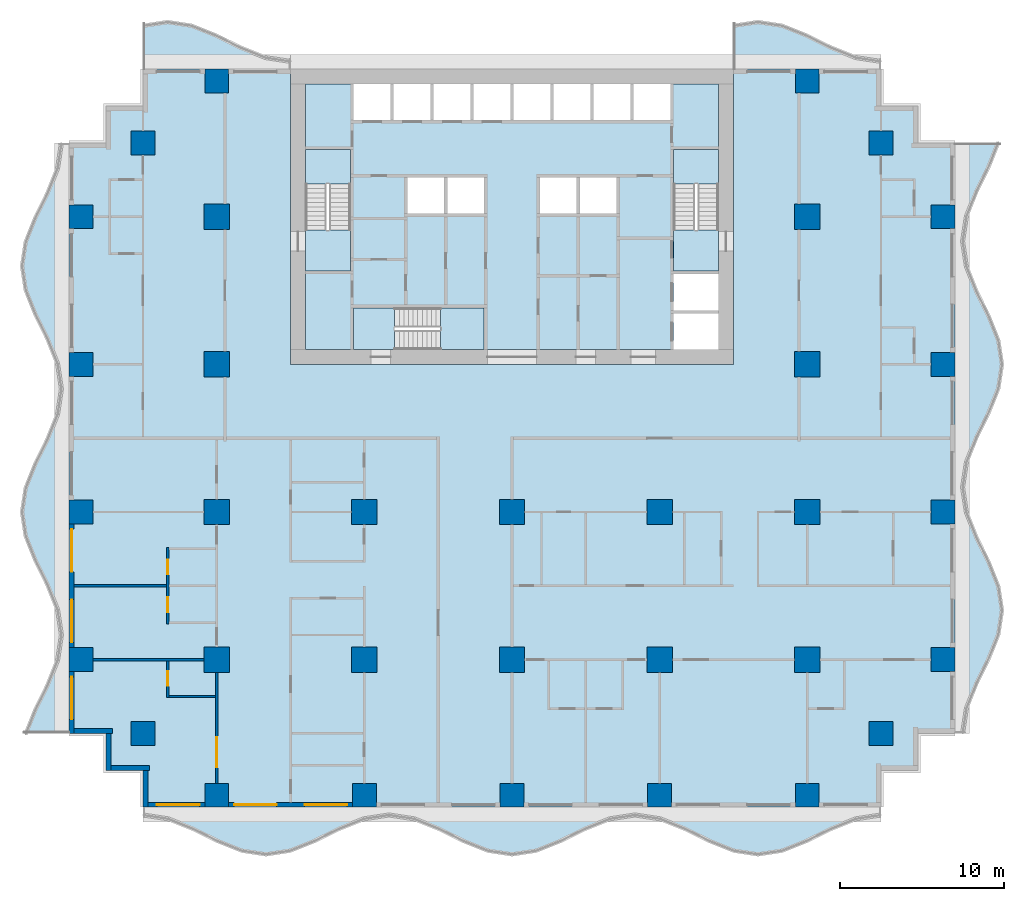
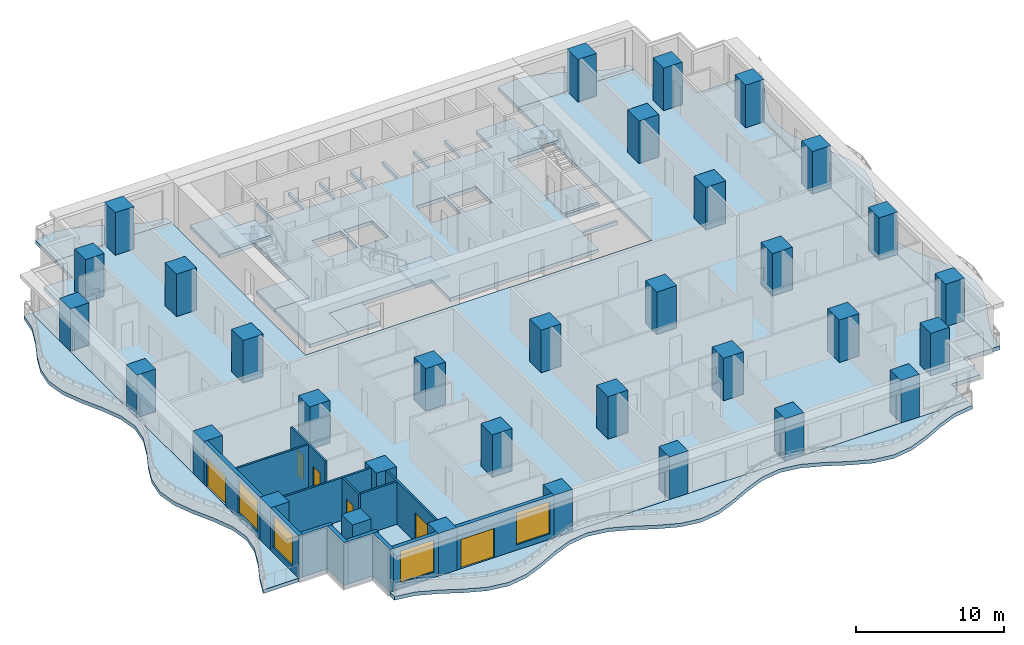
# One storey, part 1 of 14: 33 columns, 14 walls, 13 slabs, 6 doors, 4 windows, 10 openings, 3 elements without a shape of their own.
"""IFC4 building model written with IfcOpenShell, lengths in metres."""

from ifc_helpers import new_model, si_unit, direction, frame, frame_2d, origin, origin_2d, place, context, subcontext, project, spatial, polyline, rectangle, outline, extrude, material, layer, layer_set, material_profile, profile_set, type_object, element, fill, aggregate, save


model = new_model("IFC4")

# Units and contexts
model_context = context("Model", 3, precision=1e-05, world=origin(), true_north=direction((0.0, 1.0)))
body_context = subcontext(model_context, "Body", "Model", "MODEL_VIEW")
ifc_project = project(units=[si_unit("LENGTHUNIT", "METRE"), si_unit("AREAUNIT", "SQUARE_METRE"), si_unit("VOLUMEUNIT", "CUBIC_METRE"), si_unit("PLANEANGLEUNIT", "RADIAN"), si_unit("MASSUNIT", "GRAM", prefix="KILO")], contexts=[model_context])

# Site, building, storey
site_placement = place(None, origin())
site = spatial("IfcSite", under=ifc_project, at=site_placement, CompositionType="ELEMENT")
building_placement = place(site_placement, origin())
building = spatial("IfcBuilding", under=site, at=building_placement, Name="Orbiselva Terraces", CompositionType="ELEMENT")
storey_placement = place(building_placement, frame((0.0, 0.0, 37.8)))
storey = spatial("IfcBuildingStorey", under=building, at=storey_placement, Name="L09", CompositionType="ELEMENT", Elevation=37.8)

# Columns
ifc_material_1 = material(Name="Concrete C80/95", Category="concrete")
ifc_material_profile_1 = material_profile(ifc_material_1, rectangle(XDim=1.55, YDim=1.55, at=origin_2d()), Name="RC 1550x1550")
ifc_profile_set_1 = profile_set([ifc_material_profile_1], Name="Concrete C80/95")
column_type_1 = type_object("IfcColumnType", Name="COLUMN RC 1550x1550", PredefinedType="COLUMN", material=ifc_profile_set_1)
for number, where, z_axis, x_axis, name in (
    (1, (-18.0, -13.5, 0.0), (0.0, 0.0, 1.0), (1.0, 0.0, 0.0), "Column L09-01"),
    (2, (-18.0, -4.5, 0.0), (0.0, 0.0, 1.0), (1.0, 0.0, 0.0), "Column L09-03"),
    (3, (-18.0, 13.5, 0.0), (0.0, 0.0, 1.0), (1.0, 0.0, 0.0), "Column L09-04"),
    (4, (-18.0, 4.5, 0.0), (0.0, 0.0, 1.0), (1.0, 0.0, 0.0), "Column L09-06"),
    (5, (-9.0, -13.5, 0.0), (0.0, 0.0, 1.0), (1.0, 0.0, 0.0), "Column L09-13"),
    (6, (-9.0, -4.5, 0.0), (0.0, 0.0, 1.0), (1.0, 0.0, 0.0), "Column L09-15"),
    (7, (0.0, -13.5, 0.0), (0.0, 0.0, 1.0), (1.0, 0.0, 0.0), "Column L09-16"),
    (8, (0.0, -4.5, 0.0), (0.0, 0.0, 1.0), (1.0, 0.0, 0.0), "Column L09-18"),
    (9, (18.0, -13.5, 0.0), (0.0, 0.0, 1.0), (1.0, 0.0, 0.0), "Column L09-19"),
    (10, (18.0, -4.5, 0.0), (0.0, 0.0, 1.0), (1.0, 0.0, 0.0), "Column L09-21"),
    (11, (18.0, 13.5, 0.0), (0.0, 0.0, 1.0), (1.0, 0.0, 0.0), "Column L09-22"),
    (12, (18.0, 4.5, 0.0), (0.0, 0.0, 1.0), (1.0, 0.0, 0.0), "Column L09-24"),
    (13, (9.0, -13.5, 0.0), (0.0, 0.0, 1.0), (1.0, 0.0, 0.0), "Column L09-31"),
    (14, (9.0, -4.5, 0.0), (0.0, 0.0, 1.0), (1.0, 0.0, 0.0), "Column L09-33"),
):
    element("IfcColumn", number, at=place(storey_placement, frame(where, z_axis=z_axis, x_axis=x_axis)), inside=storey, type_object=column_type_1, Name=name, PredefinedType="COLUMN", context=body_context, shape_type="SweptSolid", body=[
        extrude(rectangle(XDim=1.55, YDim=1.55, at=origin_2d()), origin(), (0.0, 0.0, 1.0), 3.5),
    ])
ifc_material_2 = material(Name="Concrete C70/85", Category="concrete")
ifc_material_profile_2 = material_profile(ifc_material_2, rectangle(XDim=1.45, YDim=1.45, at=origin_2d()), Name="RC 1450x1450")
ifc_profile_set_2 = profile_set([ifc_material_profile_2], Name="Concrete C70/85")
column_type_2 = type_object("IfcColumnType", Name="PERIMETER COLUMN RC 1450x1450", PredefinedType="COLUMN", material=ifc_profile_set_2)
for number, where, z_axis, x_axis, name in (
    (15, (-18.0, -21.775, 0.0), (0.0, 0.0, 1.0), (1.0, 0.0, 0.0), "Column L09-02"),
    (16, (-18.0, 21.775, 0.0), (0.0, 0.0, 1.0), (1.0, 0.0, 0.0), "Column L09-05"),
    (17, (-26.275, -13.5, 0.0), (0.0, 0.0, 1.0), (1.0, 0.0, 0.0), "Column L09-07"),
    (18, (-22.5, -18.0, 0.0), (0.0, 0.0, 1.0), (1.0, 0.0, 0.0), "Column L09-08"),
    (19, (-26.275, -4.5, 0.0), (0.0, 0.0, 1.0), (1.0, 0.0, 0.0), "Column L09-09"),
    (20, (-26.275, 13.5, 0.0), (0.0, 0.0, 1.0), (1.0, 0.0, 0.0), "Column L09-10"),
    (21, (-22.5, 18.0, 0.0), (0.0, 0.0, 1.0), (1.0, 0.0, 0.0), "Column L09-11"),
    (22, (-26.275, 4.5, 0.0), (0.0, 0.0, 1.0), (1.0, 0.0, 0.0), "Column L09-12"),
    (23, (-9.0, -21.775, 0.0), (0.0, 0.0, 1.0), (1.0, 0.0, 0.0), "Column L09-14"),
    (24, (0.0, -21.775, 0.0), (0.0, 0.0, 1.0), (1.0, 0.0, 0.0), "Column L09-17"),
    (25, (18.0, -21.775, 0.0), (0.0, 0.0, 1.0), (1.0, 0.0, 0.0), "Column L09-20"),
    (26, (18.0, 21.775, 0.0), (0.0, 0.0, 1.0), (1.0, 0.0, 0.0), "Column L09-23"),
    (27, (26.275, -13.5, 0.0), (0.0, 0.0, 1.0), (1.0, 0.0, 0.0), "Column L09-25"),
    (28, (22.5, -18.0, 0.0), (0.0, 0.0, 1.0), (1.0, 0.0, 0.0), "Column L09-26"),
    (29, (26.275, -4.5, 0.0), (0.0, 0.0, 1.0), (1.0, 0.0, 0.0), "Column L09-27"),
    (30, (26.275, 13.5, 0.0), (0.0, 0.0, 1.0), (1.0, 0.0, 0.0), "Column L09-28"),
    (31, (22.5, 18.0, 0.0), (0.0, 0.0, 1.0), (1.0, 0.0, 0.0), "Column L09-29"),
    (32, (26.275, 4.5, 0.0), (0.0, 0.0, 1.0), (1.0, 0.0, 0.0), "Column L09-30"),
    (33, (9.0, -21.775, 0.0), (0.0, 0.0, 1.0), (1.0, 0.0, 0.0), "Column L09-32"),
):
    element("IfcColumn", number, at=place(storey_placement, frame(where, z_axis=z_axis, x_axis=x_axis)), inside=storey, type_object=column_type_2, Name=name, PredefinedType="COLUMN", context=body_context, shape_type="SweptSolid", body=[
        extrude(rectangle(XDim=1.45, YDim=1.45, at=origin_2d()), origin(), (0.0, 0.0, 1.0), 3.5),
    ])

# Slabs
ifc_material_3 = material(Name="Concrete C40/50", Category="concrete")
ifc_layer_1 = layer(ifc_material_3, 0.3)
ifc_layer_set_1 = layer_set([ifc_layer_1], Name="Concrete C40/50")
slab_type_1 = type_object("IfcSlabType", Name="CORE-SLAB-FLOOR-300", PredefinedType="FLOOR", material=ifc_layer_set_1)
slab_1_placement = place(storey_placement, frame((0.0, 0.0, -0.3)))
element("IfcSlab", 34, at=slab_1_placement, inside=storey, type_object=slab_type_1, Name="L09 S1 floor landing", PredefinedType="FLOOR", context=body_context, shape_type="SweptSolid", body=[
    extrude(outline(polyline([(-12.6, 12.7), (-9.85, 12.7), (-9.85, 10.2), (-12.6, 10.2), (-12.6, 12.7)])), origin(), (0.0, 0.0, 1.0), 0.3),
])
slab_2_placement = place(storey_placement, frame((0.0, 0.0, -0.3)))
element("IfcSlab", 35, at=slab_2_placement, inside=storey, type_object=slab_type_1, Name="L09 S2 floor landing", PredefinedType="FLOOR", context=body_context, shape_type="SweptSolid", body=[
    extrude(outline(polyline([(12.6, 12.7), (12.6, 10.2), (9.85, 10.2), (9.85, 12.7), (12.6, 12.7)])), origin(), (0.0, 0.0, 1.0), 0.3),
])
slab_3_placement = place(storey_placement, frame((0.0, 0.0, -0.3)))
element("IfcSlab", 36, at=slab_3_placement, inside=storey, type_object=slab_type_1, Name="L09 S3 floor landing", PredefinedType="FLOOR", context=body_context, shape_type="SweptSolid", body=[
    extrude(outline(polyline([(-7.15, 5.4), (-9.65, 5.4), (-9.65, 7.95), (-7.15, 7.95), (-7.15, 5.4)])), origin(), (0.0, 0.0, 1.0), 0.3),
])
slab_4_placement = place(storey_placement, frame((0.0, 0.0, -0.3)))
element("IfcSlab", 37, at=slab_4_placement, inside=storey, type_object=slab_type_1, Name="L09 core floor slab 1", PredefinedType="FLOOR", context=body_context, shape_type="SweptSolid", body=[
    extrude(outline(polyline([(-1.7, 5.4), (-1.7, 7.95), (-9.65, 7.95), (-9.65, 5.4), (-12.6, 5.4), (-12.6, 10.2), (-9.85, 10.2), (-9.85, 17.6), (-12.6, 17.6), (-12.6, 21.6), (-9.65, 21.6), (-9.65, 19.4), (-7.4125, 19.4), (-7.4125, 21.6), (-7.2125, 21.6), (-7.2125, 19.4), (-4.975, 19.4), (-4.975, 21.6), (-4.775, 21.6), (-4.775, 19.4), (-2.5375, 19.4), (-2.5375, 21.6), (-2.3375, 21.6), (-2.3375, 19.4), (-0.1, 19.4), (-0.1, 21.6), (0.1, 21.6), (0.1, 19.4), (2.3375, 19.4), (2.3375, 21.6), (2.5375, 21.6), (2.5375, 19.4), (4.775, 19.4), (4.775, 21.6), (4.975, 21.6), (4.975, 19.4), (7.2125, 19.4), (7.2125, 21.6), (7.4125, 21.6), (7.4125, 19.4), (9.65, 19.4), (9.65, 21.6), (12.6, 21.6), (12.6, 17.6), (9.85, 17.6), (9.85, 10.2), (12.6, 10.2), (12.6, 10.0), (9.85, 10.0), (9.85, 7.8), (12.6, 7.8), (12.6, 7.6), (9.85, 7.6), (9.85, 5.4), (-1.7, 5.4)]), holes=[polyline([(-4.1375, 13.7), (-4.1375, 15.9), (-6.375, 15.9), (-6.375, 13.7), (-4.1375, 13.7)]), polyline([(-1.7, 13.7), (-1.7, 15.9), (-3.9375, 15.9), (-3.9375, 13.7), (-1.7, 13.7)]), polyline([(3.9375, 13.7), (3.9375, 15.9), (1.7, 15.9), (1.7, 13.7), (3.9375, 13.7)]), polyline([(6.375, 13.7), (6.375, 15.9), (4.1375, 15.9), (4.1375, 13.7), (6.375, 13.7)])]), origin(), (0.0, 0.0, 1.0), 0.3),
])

# Stair, slab
stair_type_1 = type_object("IfcStairType", Name="CORE-STAIR-1300", PredefinedType="HALF_TURN_STAIR", material=ifc_material_3)
stair_1_placement = place(storey_placement, origin())
stair_1 = element("IfcStair", 38, at=stair_1_placement, inside=storey, type_object=stair_type_1, Name="L09 Exit Stair S1", PredefinedType="HALF_TURN_STAIR")
ifc_layer_2 = layer(ifc_material_3, 0.2)
ifc_layer_set_2 = layer_set([ifc_layer_2], Name="Concrete C40/50")
slab_type_2 = type_object("IfcSlabType", Name="CORE-STAIR-LANDING-200", PredefinedType="LANDING", material=ifc_layer_set_2)
slab_5_placement = place(storey_placement, frame((0.0, 0.0, 1.7)))
slab_5 = element("IfcSlab", 39, at=slab_5_placement, type_object=slab_type_2, Name="S1 landing 1", PredefinedType="LANDING", context=body_context, shape_type="SweptSolid", body=[
    extrude(outline(polyline([(-9.85, 15.5), (-9.85, 17.6), (-12.6, 17.6), (-12.6, 15.5), (-9.85, 15.5)])), origin(), (0.0, 0.0, 1.0), 0.2),
])
aggregate(stair_1, [slab_5])

stair_2_placement = place(storey_placement, origin())
stair_2 = element("IfcStair", 40, at=stair_2_placement, inside=storey, type_object=stair_type_1, Name="L09 Exit Stair S2", PredefinedType="HALF_TURN_STAIR")
slab_6_placement = place(storey_placement, frame((0.0, 0.0, 1.7)))
slab_6 = element("IfcSlab", 41, at=slab_6_placement, type_object=slab_type_2, Name="S2 landing 1", PredefinedType="LANDING", context=body_context, shape_type="SweptSolid", body=[
    extrude(outline(polyline([(12.6, 15.5), (12.6, 17.6), (9.85, 17.6), (9.85, 15.5), (12.6, 15.5)])), origin(), (0.0, 0.0, 1.0), 0.2),
])
aggregate(stair_2, [slab_6])

stair_type_2 = type_object("IfcStairType", Name="CORE-STAIR-1200", PredefinedType="HALF_TURN_STAIR", material=ifc_material_3)
stair_3_placement = place(storey_placement, origin())
stair_3 = element("IfcStair", 42, at=stair_3_placement, inside=storey, type_object=stair_type_2, Name="L09 Exit Stair S3", PredefinedType="HALF_TURN_STAIR")
slab_7_placement = place(storey_placement, frame((0.0, 0.0, 1.7)))
slab_7 = element("IfcSlab", 43, at=slab_7_placement, type_object=slab_type_2, Name="S3 landing 1", PredefinedType="LANDING", context=body_context, shape_type="SweptSolid", body=[
    extrude(outline(polyline([(-4.35, 5.4), (-1.7, 5.4), (-1.7, 7.95), (-4.35, 7.95), (-4.35, 5.4)])), origin(), (0.0, 0.0, 1.0), 0.2),
])
aggregate(stair_3, [slab_7])

# Slabs
ifc_material_4 = material(Name="Concrete C50/60", Category="concrete")
ifc_layer_3 = layer(ifc_material_4, 0.3)
ifc_layer_set_3 = layer_set([ifc_layer_3], Name="Concrete C50/60")
slab_type_3 = type_object("IfcSlabType", Name="ENV-BALCONY-SLAB-300", PredefinedType="FLOOR", material=ifc_layer_set_3)
slab_8_placement = place(storey_placement, frame((0.0, 0.0, -0.3)))
element("IfcSlab", 44, at=slab_8_placement, inside=storey, type_object=slab_type_3, Name="Balcony slab L09 S", PredefinedType="FLOOR", context=body_context, shape_type="SweptSolid", body=[
    extrude(outline(polyline([(-22.5, -23.1), (-21.0, -23.32918), (-19.5, -23.92918), (-18.0, -24.67082), (-16.5, -25.27082), (-15.0, -25.5), (-13.5, -25.27082), (-12.0, -24.67082), (-10.5, -23.92918), (-9.0, -23.32918), (-7.5, -23.1), (-6.0, -23.32918), (-4.5, -23.92918), (-3.0, -24.67082), (-1.5, -25.27082), (0.0, -25.5), (1.5, -25.27082), (3.0, -24.67082), (4.5, -23.92918), (6.0, -23.32918), (7.5, -23.1), (9.0, -23.32918), (10.5, -23.92918), (12.0, -24.67082), (13.5, -25.27082), (15.0, -25.5), (16.5, -25.27082), (18.0, -24.67082), (19.5, -23.92918), (21.0, -23.32918), (22.5, -23.1), (22.5, -22.5), (-22.5, -22.5), (-22.5, -23.1)])), origin(), (0.0, 0.0, 1.0), 0.3),
])
slab_9_placement = place(storey_placement, frame((0.0, 0.0, -0.3)))
element("IfcSlab", 45, at=slab_9_placement, inside=storey, type_object=slab_type_3, Name="Balcony slab L09 E", PredefinedType="FLOOR", context=body_context, shape_type="SweptSolid", body=[
    extrude(outline(polyline([(27.6, -18.0), (27.82918, -16.5), (28.42918, -15.0), (29.17082, -13.5), (29.77082, -12.0), (30.0, -10.5), (29.77082, -9.0), (29.17082, -7.5), (28.42918, -6.0), (27.82918, -4.5), (27.6, -3.0), (27.82918, -1.5), (28.42918, 0.0), (29.17082, 1.5), (29.77082, 3.0), (30.0, 4.5), (29.77082, 6.0), (29.17082, 7.5), (28.42918, 9.0), (27.82918, 10.5), (27.6, 12.0), (27.82918, 13.5), (28.42918, 15.0), (29.17082, 16.5), (29.77082, 18.0), (27.0, 18.0), (27.0, -18.0), (27.6, -18.0)])), origin(), (0.0, 0.0, 1.0), 0.3),
])
slab_10_placement = place(storey_placement, frame((0.0, 0.0, -0.3)))
element("IfcSlab", 46, at=slab_10_placement, inside=storey, type_object=slab_type_3, Name="Balcony slab L09 NE", PredefinedType="FLOOR", context=body_context, shape_type="SweptSolid", body=[
    extrude(outline(polyline([(22.5, 23.1), (21.0, 23.32918), (19.5, 23.92918), (18.0, 24.67082), (16.5, 25.27082), (15.0, 25.5), (13.5, 25.27082), (13.5, 22.5), (22.5, 22.5), (22.5, 23.1)])), origin(), (0.0, 0.0, 1.0), 0.3),
])
slab_11_placement = place(storey_placement, frame((0.0, 0.0, -0.3)))
element("IfcSlab", 47, at=slab_11_placement, inside=storey, type_object=slab_type_3, Name="Balcony slab L09 NW", PredefinedType="FLOOR", context=body_context, shape_type="SweptSolid", body=[
    extrude(outline(polyline([(-13.5, 23.1), (-15.0, 23.32918), (-16.5, 23.92918), (-18.0, 24.67082), (-19.5, 25.27082), (-21.0, 25.5), (-22.5, 25.27082), (-22.5, 22.5), (-13.5, 22.5), (-13.5, 23.1)])), origin(), (0.0, 0.0, 1.0), 0.3),
])
slab_12_placement = place(storey_placement, frame((0.0, 0.0, -0.3)))
element("IfcSlab", 48, at=slab_12_placement, inside=storey, type_object=slab_type_3, Name="Balcony slab L09 W", PredefinedType="FLOOR", context=body_context, shape_type="SweptSolid", body=[
    extrude(outline(polyline([(-27.6, 18.0), (-27.82918, 16.5), (-28.42918, 15.0), (-29.17082, 13.5), (-29.77082, 12.0), (-30.0, 10.5), (-29.77082, 9.0), (-29.17082, 7.5), (-28.42918, 6.0), (-27.82918, 4.5), (-27.6, 3.0), (-27.82918, 1.5), (-28.42918, 0.0), (-29.17082, -1.5), (-29.77082, -3.0), (-30.0, -4.5), (-29.77082, -6.0), (-29.17082, -7.5), (-28.42918, -9.0), (-27.82918, -10.5), (-27.6, -12.0), (-27.82918, -13.5), (-28.42918, -15.0), (-29.17082, -16.5), (-29.77082, -18.0), (-27.0, -18.0), (-27.0, 18.0), (-27.6, 18.0)])), origin(), (0.0, 0.0, 1.0), 0.3),
])
ifc_layer_4 = layer(ifc_material_4, 0.3)
ifc_layer_set_4 = layer_set([ifc_layer_4], Name="Concrete C50/60")
slab_type_4 = type_object("IfcSlabType", Name="FLOOR SLAB 300", PredefinedType="FLOOR", material=ifc_layer_set_4)
slab_13_placement = place(storey_placement, frame((0.0, 0.0, -0.3)))
element("IfcSlab", 49, at=slab_13_placement, inside=storey, type_object=slab_type_4, Name="Floor slab L09", PredefinedType="FLOOR", context=body_context, shape_type="SweptSolid", body=[
    extrude(outline(polyline([(22.5, 22.5), (22.5, 20.25), (24.75, 20.25), (24.75, 18.0), (27.0, 18.0), (27.0, -18.0), (24.75, -18.0), (24.75, -20.25), (22.5, -20.25), (22.5, -22.5), (-22.5, -22.5), (-22.5, -20.25), (-24.75, -20.25), (-24.75, -18.0), (-27.0, -18.0), (-27.0, 18.0), (-24.75, 18.0), (-24.75, 20.25), (-22.5, 20.25), (-22.5, 22.5), (-13.5, 22.5), (-13.5, 4.5), (13.5, 4.5), (13.5, 22.5), (22.5, 22.5)])), origin(), (0.0, 0.0, 1.0), 0.3),
])

# Wall, opening, window
ifc_material_5 = material(Name="Terracotta cladding on masonry backing", Category="masonry")
ifc_layer_5 = layer(ifc_material_5, 0.3)
ifc_layer_set_5 = layer_set([ifc_layer_5], Name="Terracotta cladding on masonry backing")
wall_type_1 = type_object("IfcWallType", Name="ENV-WALL-TERRACOTTA-300", PredefinedType="SOLIDWALL", material=ifc_layer_set_5)
wall_1_placement = place(storey_placement, frame((-18.725, -22.35, 0.0), z_axis=(0.0, 0.0, 1.0), x_axis=(-1.0, 0.0, 0.0)))
wall_1 = element("IfcWall", 50, at=wall_1_placement, inside=storey, type_object=wall_type_1, Name="Facade wall L09 S", PredefinedType="SOLIDWALL", context=body_context, shape_type="SweptSolid", body=[
    extrude(rectangle(XDim=3.475, YDim=0.3, at=frame_2d((1.7375, 0.0))), origin(), (0.0, 0.0, 1.0), 3.5),
])
opening_1_placement = place(wall_1_placement, frame((0.325, 0.0, 0.45)))
opening_1 = element("IfcOpeningElement", 51, at=opening_1_placement, cuts=wall_1, Name="Opening WN1", PredefinedType="OPENING", context=body_context, shape_type="SweptSolid", body=[
    extrude(rectangle(XDim=2.6, YDim=2.65, at=frame_2d((1.3, 1.325))), frame((0.0, 0.16, 0.0), z_axis=(0.0, -1.0, 0.0), x_axis=(1.0, 0.0, 0.0)), (0.0, 0.0, 1.0), 0.32),
])
ifc_material_6 = material(Name="Clear low-e glazing in aluminium frame", Category="aluminium")
window_type = type_object("IfcWindowType", Name="WINDOW 2600 X 2650 S450", PartitioningType="TRIPLE_PANEL_VERTICAL", PredefinedType="WINDOW", material=ifc_material_6)
window_1_placement = place(opening_1_placement, origin())
window_1 = element("IfcWindow", 52, at=window_1_placement, inside=storey, type_object=window_type, Name="Window L09 S", OverallHeight=2.65, OverallWidth=2.6, PartitioningType="SINGLE_PANEL", PredefinedType="WINDOW", context=body_context, shape_type="SweptSolid", body=[
    extrude(rectangle(XDim=2.6, YDim=2.65, at=frame_2d((1.3, 1.325))), frame((0.0, 0.03, 0.0), z_axis=(0.0, -1.0, 0.0), x_axis=(1.0, 0.0, 0.0)), (0.0, 0.0, 1.0), 0.06),
])
fill(opening_1, window_1)

# Wall, openings, door, window
wall_2_placement = place(storey_placement, frame((-9.725, -22.35, 0.0), z_axis=(0.0, 0.0, 1.0), x_axis=(-1.0, 0.0, 0.0)))
wall_2 = element("IfcWall", 53, at=wall_2_placement, inside=storey, type_object=wall_type_1, Name="Facade wall L09 S", PredefinedType="SOLIDWALL", context=body_context, shape_type="SweptSolid", body=[
    extrude(rectangle(XDim=7.55, YDim=0.3, at=frame_2d((3.775, 0.0))), origin(), (0.0, 0.0, 1.0), 3.5),
])
opening_2_placement = place(wall_2_placement, frame((4.625, 0.0, 0.0)))
opening_2 = element("IfcOpeningElement", 54, at=opening_2_placement, cuts=wall_2, Name="Opening Z1-C-E01", PredefinedType="OPENING", context=body_context, shape_type="SweptSolid", body=[
    extrude(rectangle(XDim=2.6, YDim=2.4, at=frame_2d((1.3, 1.2))), frame((0.0, 0.16, 0.0), z_axis=(0.0, -1.0, 0.0), x_axis=(1.0, 0.0, 0.0)), (0.0, 0.0, 1.0), 0.32),
])
opening_3_placement = place(wall_2_placement, frame((0.325, 0.0, 0.45)))
opening_3 = element("IfcOpeningElement", 55, at=opening_3_placement, cuts=wall_2, Name="Opening WN1", PredefinedType="OPENING", context=body_context, shape_type="SweptSolid", body=[
    extrude(rectangle(XDim=2.6, YDim=2.65, at=frame_2d((1.3, 1.325))), frame((0.0, 0.16, 0.0), z_axis=(0.0, -1.0, 0.0), x_axis=(1.0, 0.0, 0.0)), (0.0, 0.0, 1.0), 0.32),
])
door_type_1 = type_object("IfcDoorType", Name="BALCONY DOOR 2600 X 2400", OperationType="DOUBLE_DOOR_SLIDING", PredefinedType="DOOR", material=ifc_material_6)
door_1_placement = place(opening_2_placement, origin())
door_1 = element("IfcDoor", 56, at=door_1_placement, inside=storey, type_object=door_type_1, Name="Z1-C-E01", OperationType="SINGLE_SWING_LEFT", OverallHeight=2.4, OverallWidth=2.6, PredefinedType="DOOR", context=body_context, shape_type="SweptSolid", body=[
    extrude(rectangle(XDim=2.6, YDim=2.4, at=frame_2d((1.3, 1.2))), frame((0.0, 0.025, 0.0), z_axis=(0.0, -1.0, 0.0), x_axis=(1.0, 0.0, 0.0)), (0.0, 0.0, 1.0), 0.05),
])
fill(opening_2, door_1)
window_2_placement = place(opening_3_placement, origin())
window_2 = element("IfcWindow", 57, at=window_2_placement, inside=storey, type_object=window_type, Name="Window L09 S", OverallHeight=2.65, OverallWidth=2.6, PartitioningType="SINGLE_PANEL", PredefinedType="WINDOW", context=body_context, shape_type="SweptSolid", body=[
    extrude(rectangle(XDim=2.6, YDim=2.65, at=frame_2d((1.3, 1.325))), frame((0.0, 0.03, 0.0), z_axis=(0.0, -1.0, 0.0), x_axis=(1.0, 0.0, 0.0)), (0.0, 0.0, 1.0), 0.06),
])
fill(opening_3, window_2)

wall_3_placement = place(storey_placement, frame((-26.85, -12.775, 0.0), z_axis=(0.0, 0.0, 1.0), x_axis=(0.0, 1.0, 0.0)))
wall_3 = element("IfcWall", 58, at=wall_3_placement, inside=storey, type_object=wall_type_1, Name="Facade wall L09 W", PredefinedType="SOLIDWALL", context=body_context, shape_type="SweptSolid", body=[
    extrude(rectangle(XDim=7.55, YDim=0.3, at=frame_2d((3.775, 0.0))), origin(), (0.0, 0.0, 1.0), 3.5),
])
opening_4_placement = place(wall_3_placement, frame((4.625, 0.0, 0.0)))
opening_4 = element("IfcOpeningElement", 59, at=opening_4_placement, cuts=wall_3, Name="Opening Z1-C-E12", PredefinedType="OPENING", context=body_context, shape_type="SweptSolid", body=[
    extrude(rectangle(XDim=2.6, YDim=2.4, at=frame_2d((1.3, 1.2))), frame((0.0, 0.16, 0.0), z_axis=(0.0, -1.0, 0.0), x_axis=(1.0, 0.0, 0.0)), (0.0, 0.0, 1.0), 0.32),
])
opening_5_placement = place(wall_3_placement, frame((0.325, 0.0, 0.45)))
opening_5 = element("IfcOpeningElement", 60, at=opening_5_placement, cuts=wall_3, Name="Opening WN1", PredefinedType="OPENING", context=body_context, shape_type="SweptSolid", body=[
    extrude(rectangle(XDim=2.6, YDim=2.65, at=frame_2d((1.3, 1.325))), frame((0.0, 0.16, 0.0), z_axis=(0.0, -1.0, 0.0), x_axis=(1.0, 0.0, 0.0)), (0.0, 0.0, 1.0), 0.32),
])
door_2_placement = place(opening_4_placement, origin())
door_2 = element("IfcDoor", 61, at=door_2_placement, inside=storey, type_object=door_type_1, Name="Z1-C-E12", OperationType="SINGLE_SWING_LEFT", OverallHeight=2.4, OverallWidth=2.6, PredefinedType="DOOR", context=body_context, shape_type="SweptSolid", body=[
    extrude(rectangle(XDim=2.6, YDim=2.4, at=frame_2d((1.3, 1.2))), frame((0.0, 0.025, 0.0), z_axis=(0.0, -1.0, 0.0), x_axis=(1.0, 0.0, 0.0)), (0.0, 0.0, 1.0), 0.05),
])
fill(opening_4, door_2)
window_3_placement = place(opening_5_placement, origin())
window_3 = element("IfcWindow", 62, at=window_3_placement, inside=storey, type_object=window_type, Name="Window L09 W", OverallHeight=2.65, OverallWidth=2.6, PartitioningType="SINGLE_PANEL", PredefinedType="WINDOW", context=body_context, shape_type="SweptSolid", body=[
    extrude(rectangle(XDim=2.6, YDim=2.65, at=frame_2d((1.3, 1.325))), frame((0.0, 0.03, 0.0), z_axis=(0.0, -1.0, 0.0), x_axis=(1.0, 0.0, 0.0)), (0.0, 0.0, 1.0), 0.06),
])
fill(opening_5, window_3)

# Wall, opening, window
wall_4_placement = place(storey_placement, frame((-26.85, -18.0, 0.0), z_axis=(0.0, 0.0, 1.0), x_axis=(0.0, 1.0, 0.0)))
wall_4 = element("IfcWall", 63, at=wall_4_placement, inside=storey, type_object=wall_type_1, Name="Facade wall L09 W", PredefinedType="SOLIDWALL", context=body_context, shape_type="SweptSolid", body=[
    extrude(rectangle(XDim=3.775, YDim=0.3, at=frame_2d((1.8875, 0.0))), origin(), (0.0, 0.0, 1.0), 3.5),
])
opening_6_placement = place(wall_4_placement, frame((0.85, 0.0, 0.45)))
opening_6 = element("IfcOpeningElement", 64, at=opening_6_placement, cuts=wall_4, Name="Opening WN1", PredefinedType="OPENING", context=body_context, shape_type="SweptSolid", body=[
    extrude(rectangle(XDim=2.6, YDim=2.65, at=frame_2d((1.3, 1.325))), frame((0.0, 0.16, 0.0), z_axis=(0.0, -1.0, 0.0), x_axis=(1.0, 0.0, 0.0)), (0.0, 0.0, 1.0), 0.32),
])
window_4_placement = place(opening_6_placement, origin())
window_4 = element("IfcWindow", 65, at=window_4_placement, inside=storey, type_object=window_type, Name="Window L09 W", OverallHeight=2.65, OverallWidth=2.6, PartitioningType="SINGLE_PANEL", PredefinedType="WINDOW", context=body_context, shape_type="SweptSolid", body=[
    extrude(rectangle(XDim=2.6, YDim=2.65, at=frame_2d((1.3, 1.325))), frame((0.0, 0.03, 0.0), z_axis=(0.0, -1.0, 0.0), x_axis=(1.0, 0.0, 0.0)), (0.0, 0.0, 1.0), 0.06),
])
fill(opening_6, window_4)

# Walls
wall_5_placement = place(storey_placement, frame((-24.35, -17.85, 0.0), z_axis=(0.0, 0.0, 1.0), x_axis=(-1.0, 0.0, 0.0)))
element("IfcWall", 66, at=wall_5_placement, inside=storey, type_object=wall_type_1, Name="Facade wall L09 STEP", PredefinedType="SOLIDWALL", context=body_context, shape_type="SweptSolid", body=[
    extrude(rectangle(XDim=2.35, YDim=0.3, at=frame_2d((1.175, 0.0))), origin(), (0.0, 0.0, 1.0), 3.5),
])
wall_6_placement = place(storey_placement, frame((-24.6, -20.25, 0.0), z_axis=(0.0, 0.0, 1.0), x_axis=(0.0, 1.0, 0.0)))
element("IfcWall", 67, at=wall_6_placement, inside=storey, type_object=wall_type_1, Name="Facade wall L09 STEP", PredefinedType="SOLIDWALL", context=body_context, shape_type="SweptSolid", body=[
    extrude(rectangle(XDim=2.25, YDim=0.3, at=frame_2d((1.125, 0.0))), origin(), (0.0, 0.0, 1.0), 3.5),
])
wall_7_placement = place(storey_placement, frame((-22.1, -20.1, 0.0), z_axis=(0.0, 0.0, 1.0), x_axis=(-1.0, 0.0, 0.0)))
element("IfcWall", 68, at=wall_7_placement, inside=storey, type_object=wall_type_1, Name="Facade wall L09 STEP", PredefinedType="SOLIDWALL", context=body_context, shape_type="SweptSolid", body=[
    extrude(rectangle(XDim=2.35, YDim=0.3, at=frame_2d((1.175, 0.0))), origin(), (0.0, 0.0, 1.0), 3.5),
])
wall_8_placement = place(storey_placement, frame((-22.35, -22.5, 0.0), z_axis=(0.0, 0.0, 1.0), x_axis=(0.0, 1.0, 0.0)))
element("IfcWall", 69, at=wall_8_placement, inside=storey, type_object=wall_type_1, Name="Facade wall L09 STEP", PredefinedType="SOLIDWALL", context=body_context, shape_type="SweptSolid", body=[
    extrude(rectangle(XDim=2.25, YDim=0.3, at=frame_2d((1.125, 0.0))), origin(), (0.0, 0.0, 1.0), 3.5),
])
ifc_material_7 = material(Name="Plasterboard on steel stud partition", Category="steel")
ifc_layer_6 = layer(ifc_material_7, 0.15)
ifc_layer_set_6 = layer_set([ifc_layer_6], Name="Plasterboard on steel stud partition")
wall_type_2 = type_object("IfcWallType", Name="UNIT-PARTITION-150", PredefinedType="PARTITIONING", material=ifc_layer_set_6)
wall_9_placement = place(storey_placement, frame((-20.925, -15.75, 0.0), z_axis=(0.0, 0.0, 1.0), x_axis=(1.0, 0.0, 0.0)))
element("IfcWall", 70, at=wall_9_placement, inside=storey, type_object=wall_type_2, Name="PARTITION L09-006", PredefinedType="PARTITIONING", context=body_context, shape_type="SweptSolid", body=[
    extrude(rectangle(XDim=2.85, YDim=0.15, at=frame_2d((1.425, 0.0))), origin(), (0.0, 0.0, 1.0), 3.5),
])
wall_10_placement = place(storey_placement, frame((-25.55, -13.5, 0.0), z_axis=(0.0, 0.0, 1.0), x_axis=(1.0, 0.0, 0.0)))
element("IfcWall", 71, at=wall_10_placement, inside=storey, type_object=wall_type_2, Name="PARTITION L09-007", PredefinedType="PARTITIONING", context=body_context, shape_type="SweptSolid", body=[
    extrude(rectangle(XDim=6.775, YDim=0.15, at=frame_2d((3.3875, 0.0))), origin(), (0.0, 0.0, 1.0), 3.5),
])
wall_11_placement = place(storey_placement, frame((-26.7, -9.0, 0.0), z_axis=(0.0, 0.0, 1.0), x_axis=(1.0, 0.0, 0.0)))
element("IfcWall", 72, at=wall_11_placement, inside=storey, type_object=wall_type_2, Name="PARTITION L09-014", PredefinedType="PARTITIONING", context=body_context, shape_type="SweptSolid", body=[
    extrude(rectangle(XDim=5.625, YDim=0.15, at=frame_2d((2.8125, 0.0))), origin(), (0.0, 0.0, 1.0), 3.5),
])

# Wall, opening, door
wall_12_placement = place(storey_placement, frame((-21.0, -13.575, 0.0), z_axis=(0.0, 0.0, 1.0), x_axis=(0.0, -1.0, 0.0)))
wall_12 = element("IfcWall", 73, at=wall_12_placement, inside=storey, type_object=wall_type_2, Name="PARTITION L09-043", PredefinedType="PARTITIONING", context=body_context, shape_type="SweptSolid", body=[
    extrude(rectangle(XDim=2.25, YDim=0.15, at=frame_2d((1.125, 0.0))), origin(), (0.0, 0.0, 1.0), 3.5),
])
opening_7_placement = place(wall_12_placement, frame((0.625, 0.0, 0.0)))
opening_7 = element("IfcOpeningElement", 74, at=opening_7_placement, cuts=wall_12, Name="Opening Z1-C-22", PredefinedType="OPENING", context=body_context, shape_type="SweptSolid", body=[
    extrude(rectangle(XDim=0.9, YDim=2.1, at=frame_2d((0.45, 1.05))), frame((0.0, 0.085, 0.0), z_axis=(0.0, -1.0, 0.0), x_axis=(1.0, 0.0, 0.0)), (0.0, 0.0, 1.0), 0.17),
])
ifc_material_8 = material(Name="Painted timber door leaf", Category="wood")
door_type_2 = type_object("IfcDoorType", Name="BATH DOOR 900", OperationType="NOTDEFINED", PredefinedType="DOOR", material=ifc_material_8)
door_3_placement = place(opening_7_placement, origin())
door_3 = element("IfcDoor", 75, at=door_3_placement, inside=storey, type_object=door_type_2, Name="Z1-C-22", OperationType="SINGLE_SWING_LEFT", OverallHeight=2.1, OverallWidth=0.9, PredefinedType="DOOR", context=body_context, shape_type="SweptSolid", body=[
    extrude(rectangle(XDim=0.9, YDim=2.1, at=frame_2d((0.45, 1.05))), frame((0.0, 0.025, 0.0), z_axis=(0.0, -1.0, 0.0), x_axis=(1.0, 0.0, 0.0)), (0.0, 0.0, 1.0), 0.05),
])
fill(opening_7, door_3)

# Wall, openings, doors
wall_13_placement = place(storey_placement, frame((-21.0, -6.675, 0.0), z_axis=(0.0, 0.0, 1.0), x_axis=(0.0, -1.0, 0.0)))
wall_13 = element("IfcWall", 76, at=wall_13_placement, inside=storey, type_object=wall_type_2, Name="PARTITION L09-044", PredefinedType="PARTITIONING", context=body_context, shape_type="SweptSolid", body=[
    extrude(rectangle(XDim=4.65, YDim=0.15, at=frame_2d((2.325, 0.0))), origin(), (0.0, 0.0, 1.0), 3.5),
])
opening_8_placement = place(wall_13_placement, frame((3.025, 0.0, 0.0)))
opening_8 = element("IfcOpeningElement", 77, at=opening_8_placement, cuts=wall_13, Name="Opening Z1-C-24", PredefinedType="OPENING", context=body_context, shape_type="SweptSolid", body=[
    extrude(rectangle(XDim=0.9, YDim=2.1, at=frame_2d((0.45, 1.05))), frame((0.0, 0.085, 0.0), z_axis=(0.0, -1.0, 0.0), x_axis=(1.0, 0.0, 0.0)), (0.0, 0.0, 1.0), 0.17),
])
opening_9_placement = place(wall_13_placement, frame((0.725, 0.0, 0.0)))
opening_9 = element("IfcOpeningElement", 78, at=opening_9_placement, cuts=wall_13, Name="Opening Z1-C-26", PredefinedType="OPENING", context=body_context, shape_type="SweptSolid", body=[
    extrude(rectangle(XDim=0.9, YDim=2.1, at=frame_2d((0.45, 1.05))), frame((0.0, 0.085, 0.0), z_axis=(0.0, -1.0, 0.0), x_axis=(1.0, 0.0, 0.0)), (0.0, 0.0, 1.0), 0.17),
])
door_4_placement = place(opening_8_placement, origin())
door_4 = element("IfcDoor", 79, at=door_4_placement, inside=storey, type_object=door_type_2, Name="Z1-C-24", OperationType="SINGLE_SWING_RIGHT", OverallHeight=2.1, OverallWidth=0.9, PredefinedType="DOOR", context=body_context, shape_type="SweptSolid", body=[
    extrude(rectangle(XDim=0.9, YDim=2.1, at=frame_2d((0.45, 1.05))), frame((0.0, 0.025, 0.0), z_axis=(0.0, -1.0, 0.0), x_axis=(1.0, 0.0, 0.0)), (0.0, 0.0, 1.0), 0.05),
])
fill(opening_8, door_4)
door_5_placement = place(opening_9_placement, origin())
door_5 = element("IfcDoor", 80, at=door_5_placement, inside=storey, type_object=door_type_2, Name="Z1-C-26", OperationType="SINGLE_SWING_LEFT", OverallHeight=2.1, OverallWidth=0.9, PredefinedType="DOOR", context=body_context, shape_type="SweptSolid", body=[
    extrude(rectangle(XDim=0.9, YDim=2.1, at=frame_2d((0.45, 1.05))), frame((0.0, 0.025, 0.0), z_axis=(0.0, -1.0, 0.0), x_axis=(1.0, 0.0, 0.0)), (0.0, 0.0, 1.0), 0.05),
])
fill(opening_9, door_5)

# Wall, opening, door
wall_14_placement = place(storey_placement, frame((-18.0, -21.05, 0.0), z_axis=(0.0, 0.0, 1.0), x_axis=(0.0, 1.0, 0.0)))
wall_14 = element("IfcWall", 81, at=wall_14_placement, inside=storey, type_object=wall_type_2, Name="PARTITION L09-045", PredefinedType="PARTITIONING", context=body_context, shape_type="SweptSolid", body=[
    extrude(rectangle(XDim=6.775, YDim=0.15, at=frame_2d((3.3875, 0.0))), origin(), (0.0, 0.0, 1.0), 3.5),
])
opening_10_placement = place(wall_14_placement, frame((1.0, 0.0, 0.0)))
opening_10 = element("IfcOpeningElement", 82, at=opening_10_placement, cuts=wall_14, Name="Opening Z1-C-21", PredefinedType="OPENING", context=body_context, shape_type="SweptSolid", body=[
    extrude(rectangle(XDim=1.8, YDim=2.4, at=frame_2d((0.9, 1.2))), frame((0.0, 0.085, 0.0), z_axis=(0.0, -1.0, 0.0), x_axis=(1.0, 0.0, 0.0)), (0.0, 0.0, 1.0), 0.17),
])
door_type_3 = type_object("IfcDoorType", Name="DOUBLE DOOR 1800", OperationType="NOTDEFINED", PredefinedType="DOOR", material=ifc_material_8)
door_6_placement = place(opening_10_placement, origin())
door_6 = element("IfcDoor", 83, at=door_6_placement, inside=storey, type_object=door_type_3, Name="Z1-C-21", OperationType="DOUBLE_DOOR_SINGLE_SWING", OverallHeight=2.4, OverallWidth=1.8, PredefinedType="DOOR", context=body_context, shape_type="SweptSolid", body=[
    extrude(rectangle(XDim=1.8, YDim=2.4, at=frame_2d((0.9, 1.2))), frame((0.0, 0.025, 0.0), z_axis=(0.0, -1.0, 0.0), x_axis=(1.0, 0.0, 0.0)), (0.0, 0.0, 1.0), 0.05),
])
fill(opening_10, door_6)

save(model, "model.ifc")
